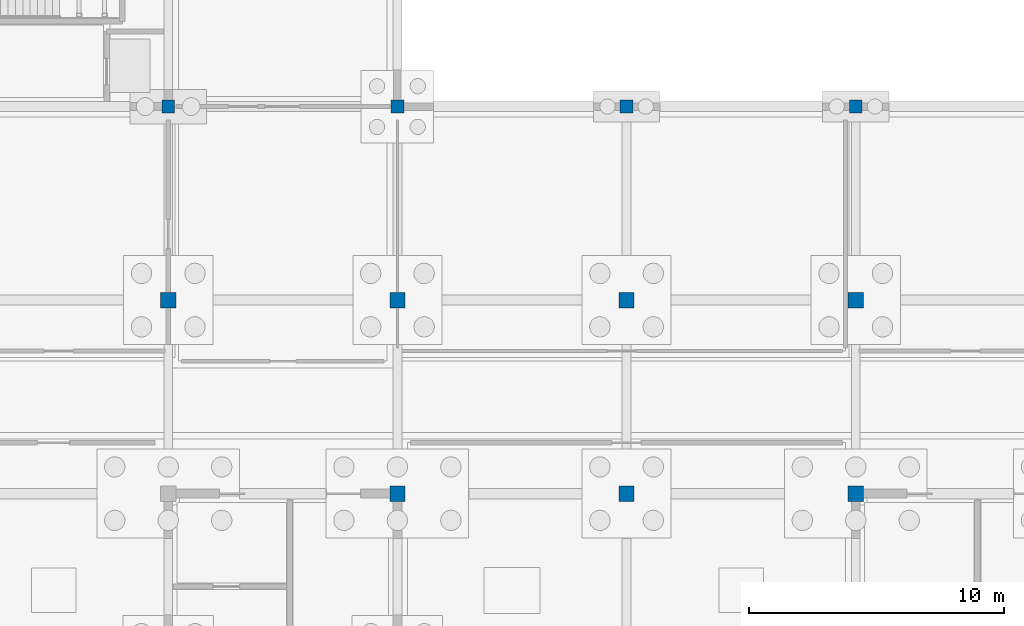
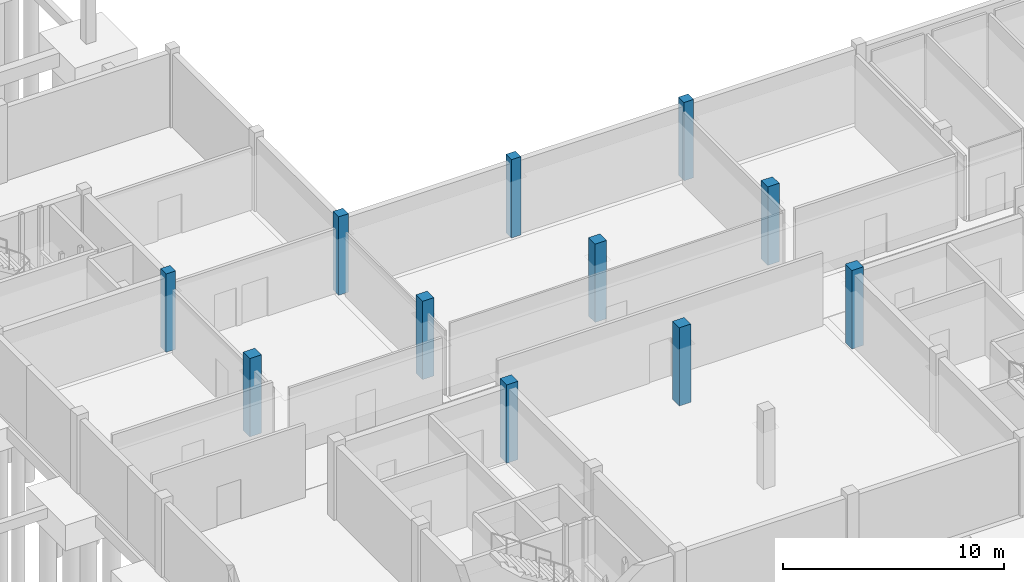
# One storey, part 17 of 28: 11 columns.
"""IFC4 building model written with IfcOpenShell, lengths in metres."""

from ifc_helpers import new_model, si_unit, direction, frame, origin, origin_2d, place, context, subcontext, project, spatial, rectangle, extrude, material, material_profile, profile_set, type_object, element, save


model = new_model("IFC4")

# Units and contexts
model_context = context("Model", 3, precision=1e-05, world=origin(), true_north=direction((0.0, 1.0)))
body_context = subcontext(model_context, "Body", "Model", "MODEL_VIEW")
ifc_project = project(units=[si_unit("LENGTHUNIT", "METRE"), si_unit("AREAUNIT", "SQUARE_METRE"), si_unit("VOLUMEUNIT", "CUBIC_METRE"), si_unit("PLANEANGLEUNIT", "RADIAN"), si_unit("MASSUNIT", "GRAM", prefix="KILO")], contexts=[model_context])

# Site, building, storey
site_placement = place(None, origin())
site = spatial("IfcSite", under=ifc_project, at=site_placement, CompositionType="ELEMENT")
building_placement = place(site_placement, origin())
building = spatial("IfcBuilding", under=site, at=building_placement, Name="Caisbarro Railhouse Central Library", CompositionType="ELEMENT")
storey_placement = place(building_placement, frame((0.0, 0.0, -4.320068359375)))
storey = spatial("IfcBuildingStorey", under=building, at=storey_placement, Name="B01", CompositionType="ELEMENT", Elevation=-4.320068359375)

# Columns
ifc_material = material(Name="Concrete C40", Category="concrete")
ifc_material_profile_1 = material_profile(ifc_material, rectangle(XDim=0.5, YDim=0.5, at=origin_2d()), Name="RC-COL-500X500")
ifc_profile_set_1 = profile_set([ifc_material_profile_1], Name="Concrete C40")
column_type_1 = type_object("IfcColumnType", Name="COL-RC50", PredefinedType="COLUMN", material=ifc_profile_set_1)
for number, where, z_axis, x_axis, name in (
    (1, (63.0, 30.39990234375, 0.0), (0.0, 0.0, 1.0), (1.0, 0.0, 0.0), "RC50 column B01 (63.0,30.4)"),
    (2, (72.0, 30.39990234375, 0.0), (0.0, 0.0, 1.0), (1.0, 0.0, 0.0), "RC50 column B01 (72.0,30.4)"),
    (3, (81.0, 30.39990234375, 0.0), (0.0, 0.0, 1.0), (1.0, 0.0, 0.0), "RC50 column B01 (81.0,30.4)"),
    (4, (90.0, 30.39990234375, 0.0), (0.0, 0.0, 1.0), (1.0, 0.0, 0.0), "RC50 column B01 (90.0,30.4)"),
):
    element("IfcColumn", number, at=place(storey_placement, frame(where, z_axis=z_axis, x_axis=x_axis)), inside=storey, type_object=column_type_1, Name=name, PredefinedType="COLUMN", context=body_context, shape_type="SweptSolid", body=[
        extrude(rectangle(XDim=0.5, YDim=0.5, at=origin_2d()), origin(), (0.0, 0.0, 1.0), 4.320068359375),
    ])
ifc_material_profile_2 = material_profile(ifc_material, rectangle(XDim=0.60009765625, YDim=0.60009765625, at=origin_2d()), Name="RC-COL-600X600")
ifc_profile_set_2 = profile_set([ifc_material_profile_2], Name="Concrete C40")
column_type_2 = type_object("IfcColumnType", Name="COL-RC60", PredefinedType="COLUMN", material=ifc_profile_set_2)
for number, where, z_axis, x_axis, name in (
    (5, (63.0, 22.800048828125, 0.0), (0.0, 0.0, 1.0), (1.0, 0.0, 0.0), "RC60 column B01 (63.0,22.8)"),
    (6, (72.0, 15.199951171875, 0.0), (0.0, 0.0, 1.0), (1.0, 0.0, 0.0), "RC60 column B01 (72.0,15.2)"),
    (7, (72.0, 22.800048828125, 0.0), (0.0, 0.0, 1.0), (1.0, 0.0, 0.0), "RC60 column B01 (72.0,22.8)"),
    (8, (81.0, 15.199951171875, 0.0), (0.0, 0.0, 1.0), (1.0, 0.0, 0.0), "RC60 column B01 (81.0,15.2)"),
    (9, (81.0, 22.800048828125, 0.0), (0.0, 0.0, 1.0), (1.0, 0.0, 0.0), "RC60 column B01 (81.0,22.8)"),
    (10, (90.0, 15.199951171875, 0.0), (0.0, 0.0, 1.0), (1.0, 0.0, 0.0), "RC60 column B01 (90.0,15.2)"),
    (11, (90.0, 22.800048828125, 0.0), (0.0, 0.0, 1.0), (1.0, 0.0, 0.0), "RC60 column B01 (90.0,22.8)"),
):
    element("IfcColumn", number, at=place(storey_placement, frame(where, z_axis=z_axis, x_axis=x_axis)), inside=storey, type_object=column_type_2, Name=name, PredefinedType="COLUMN", context=body_context, shape_type="SweptSolid", body=[
        extrude(rectangle(XDim=0.60009765625, YDim=0.60009765625, at=origin_2d()), origin(), (0.0, 0.0, 1.0), 4.320068359375),
    ])

save(model, "model.ifc")
